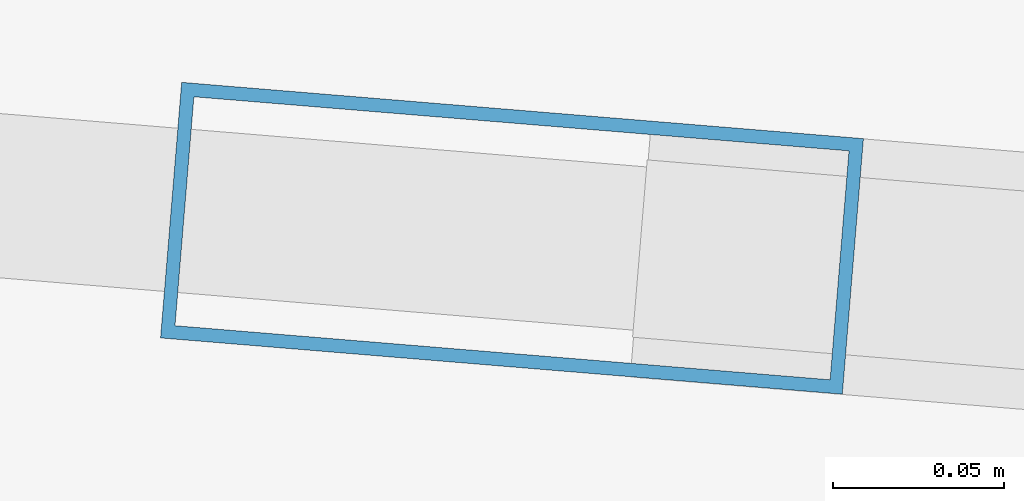
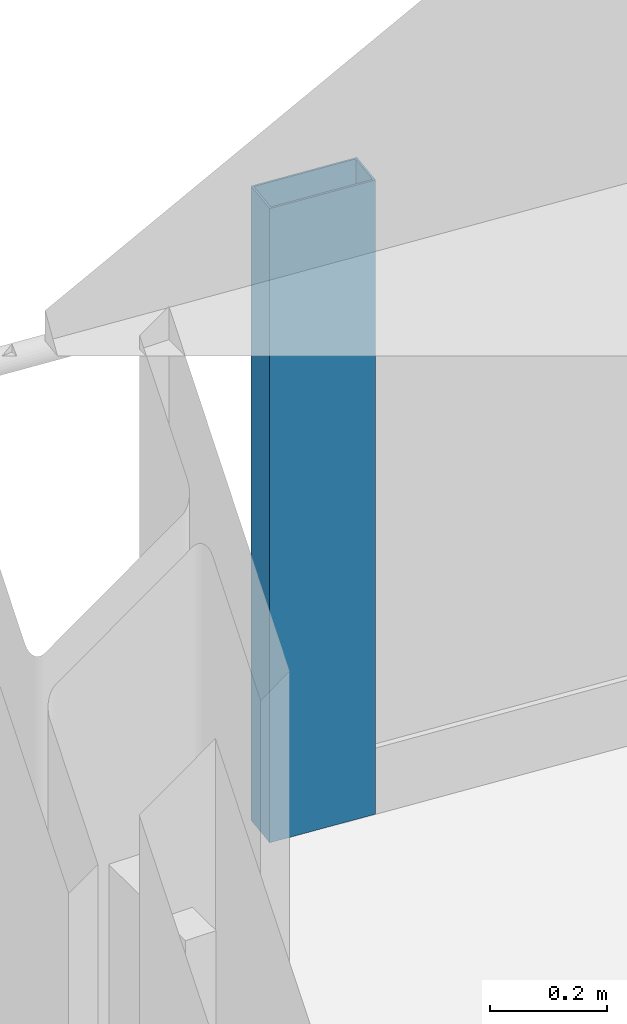
# One storey, part 14 of 21: 1 member, 1 element without a shape of its own.
"""IFC4 building model written with IfcOpenShell, lengths in metres."""

from ifc_helpers import new_model, si_unit, direction, frame, origin, origin_2d, place, context, subcontext, project, spatial, hollow_rectangle, extrude, material, layer, layer_set, material_profile, profile_set, type_object, element, aggregate, save


model = new_model("IFC4")

# Units and contexts
model_context = context("Model", 3, precision=1e-05, world=origin(), true_north=direction((0.0, 1.0)))
body_context = subcontext(model_context, "Body", "Model", "MODEL_VIEW")
ifc_project = project(units=[si_unit("LENGTHUNIT", "METRE"), si_unit("AREAUNIT", "SQUARE_METRE"), si_unit("VOLUMEUNIT", "CUBIC_METRE"), si_unit("PLANEANGLEUNIT", "RADIAN"), si_unit("MASSUNIT", "GRAM", prefix="KILO")], contexts=[model_context])

# Site, building, storey
site_placement = place(None, origin())
site = spatial("IfcSite", under=ifc_project, at=site_placement, CompositionType="ELEMENT")
building_placement = place(site_placement, origin())
building = spatial("IfcBuilding", under=site, at=building_placement, Name="Solvane Sanctuary Tower", CompositionType="ELEMENT")
storey_placement = place(building_placement, frame((0.0, 0.0, 260.39990234375)))
storey = spatial("IfcBuildingStorey", under=building, at=storey_placement, Name="L79", CompositionType="ELEMENT", Elevation=260.39990234375)

# Curtain wall, member
ifc_material = material(Name="Anodised Aluminium 6063-T6", Category="aluminium")
ifc_layer = layer(ifc_material, 0.219970703125, Name="Anodised Aluminium 6063-T6")
ifc_layer_set = layer_set([ifc_layer], Name="Anodised Aluminium 6063-T6")
curtain_wall_type = type_object("IfcCurtainWallType", Name="Curtain Wall CW-CROWN", PredefinedType="NOTDEFINED", material=ifc_layer_set)
curtain_wall_placement = place(storey_placement, origin())
curtain_wall = element("IfcCurtainWall", 1, at=curtain_wall_placement, inside=storey, type_object=curtain_wall_type, Name="L79 Crown Fritted Lantern Curtain Wall 05", PredefinedType="NOTDEFINED")
ifc_material_profile = material_profile(ifc_material, hollow_rectangle(XDim=0.074951171875, YDim=0.199951171875, WallThickness=0.00390625, at=origin_2d()), Name="ALU200X75X4")
ifc_profile_set = profile_set([ifc_material_profile], Name="Anodised Aluminium 6063-T6")
member_type = type_object("IfcMemberType", Name="Member M-CW-MUL-1 ALU200X75X4", PredefinedType="MULLION", material=ifc_profile_set)
member_placement = place(storey_placement, frame((32.68505859375, 39.00341796875, 0.0), z_axis=(0.0, 0.0, 1.0), x_axis=(-0.082279236206, -0.996609315273, 0.0)))
member = element("IfcMember", 2, at=member_placement, type_object=member_type, Name="CW-CROWN mullion 3", PredefinedType="MULLION", context=body_context, shape_type="SweptSolid", body=[
    extrude(hollow_rectangle(XDim=0.074951171875, YDim=0.199951171875, WallThickness=0.00390625, at=origin_2d()), origin(), (0.0, 0.0, 1.0), 1.320068359375),
])
aggregate(curtain_wall, [member])

save(model, "model.ifc")
